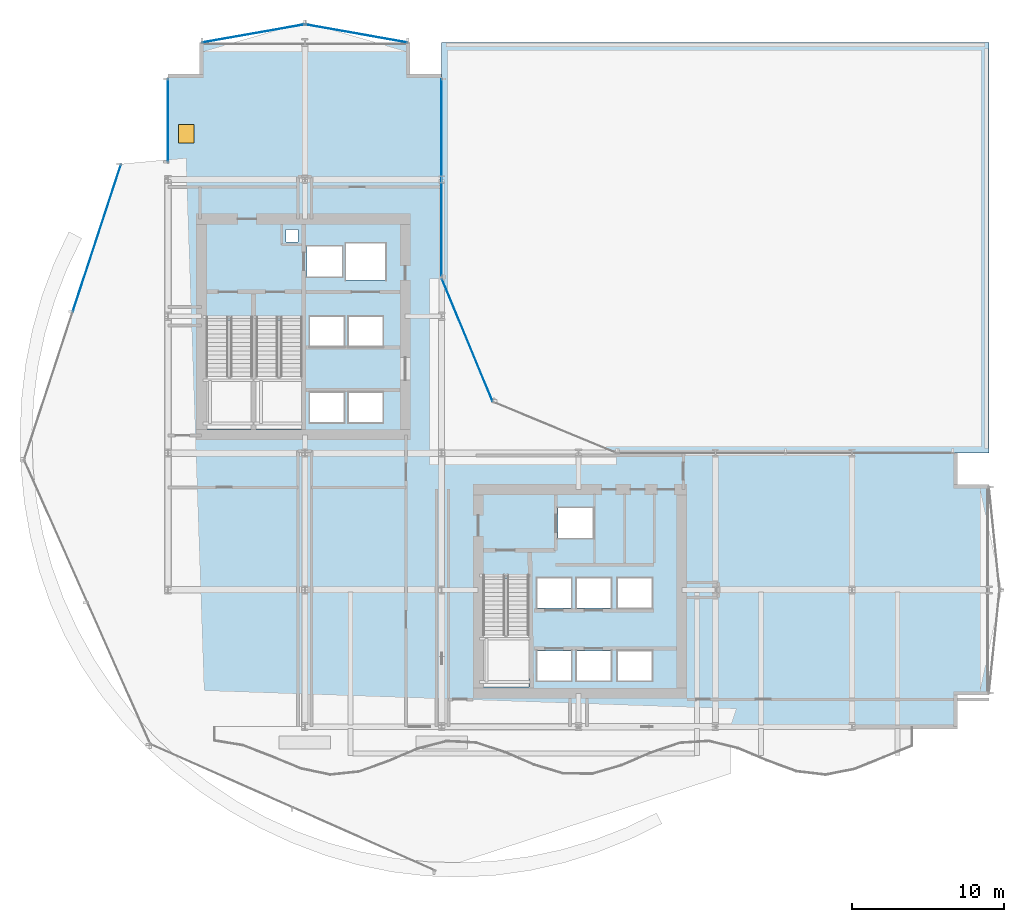
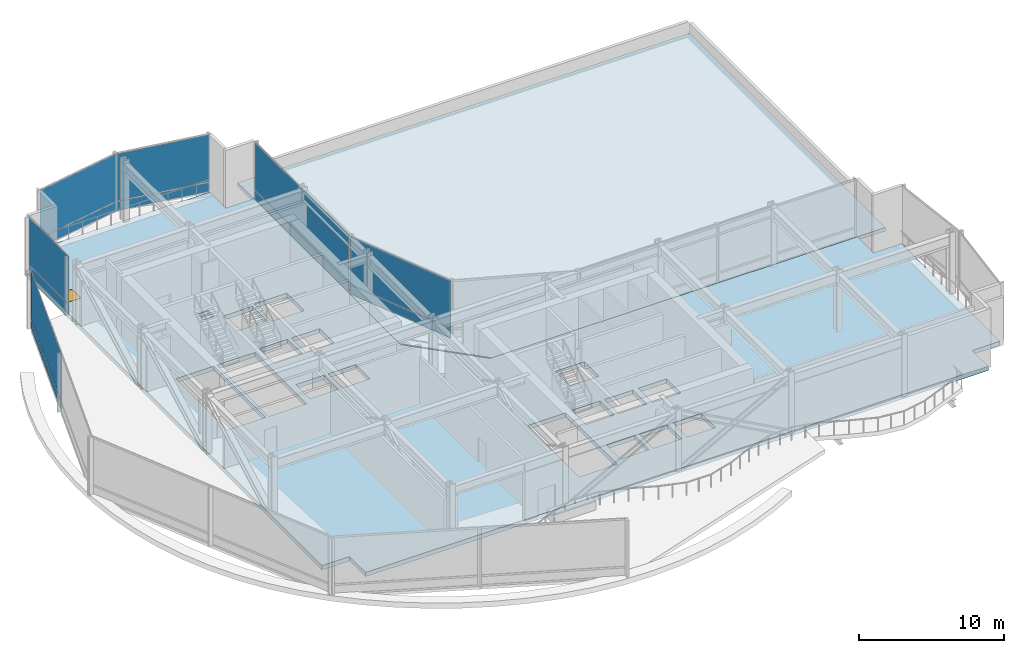
# One storey, part 26 of 37: 12 plates, 2 slabs, 1 door, 1 opening, 6 elements without a shape of their own.
"""IFC4 building model written with IfcOpenShell, lengths in metres."""

from ifc_helpers import new_model, si_unit, direction, frame, origin, origin_2d, place, context, subcontext, project, spatial, polyline, rectangle, outline, extrude, material, layer, layer_set, type_object, element, fill, aggregate, save


model = new_model("IFC4")

# Units and contexts
model_context = context("Model", 3, precision=1e-05, world=origin(), true_north=direction((0.0, 1.0)))
body_context = subcontext(model_context, "Body", "Model", "MODEL_VIEW")
ifc_project = project(units=[si_unit("LENGTHUNIT", "METRE"), si_unit("AREAUNIT", "SQUARE_METRE"), si_unit("VOLUMEUNIT", "CUBIC_METRE"), si_unit("PLANEANGLEUNIT", "RADIAN"), si_unit("MASSUNIT", "GRAM", prefix="KILO")], contexts=[model_context])

# Site, building, storey
site_placement = place(None, origin())
site = spatial("IfcSite", under=ifc_project, at=site_placement, CompositionType="ELEMENT")
building_placement = place(site_placement, origin())
building = spatial("IfcBuilding", under=site, at=building_placement, Name="Solvaryn Broadcast Tower", CompositionType="ELEMENT")
storey_placement = place(building_placement, frame((0.0, 0.0, 30.800048828125)))
storey = spatial("IfcBuildingStorey", under=building, at=storey_placement, Name="L06", CompositionType="ELEMENT", Elevation=30.800048828125)

# Curtain wall, plates
ifc_material_1 = material(Name="Aluminium and Terracotta Unitised Curtain Wall", Category="masonry")
ifc_layer_1 = layer(ifc_material_1, 0.199951171875)
ifc_layer_set_1 = layer_set([ifc_layer_1], Name="CW-SYS2-LOWMID")
curtain_wall_type = type_object("IfcCurtainWallType", Name="CW-SYS2-LOWMID", PredefinedType="NOTDEFINED", material=ifc_layer_set_1)
curtain_wall_1_placement = place(storey_placement, origin())
curtain_wall_1 = element("IfcCurtainWall", 1, at=curtain_wall_1_placement, inside=storey, type_object=curtain_wall_type, Name="L06 Curtain Wall DR1", PredefinedType="NOTDEFINED")
ifc_material_2 = material(Name="Kiln-Fired Architectural Terracotta Spandrel", Category="masonry")
ifc_layer_2 = layer(ifc_material_2, 0.048095703125)
ifc_layer_set_2 = layer_set([ifc_layer_2], Name="CW-PNL-TERRACOTTA")
plate_type = type_object("IfcPlateType", Name="CW-PNL-TERRACOTTA", PredefinedType="CURTAIN_PANEL", material=ifc_layer_set_2)
plate_1_placement = place(storey_placement, frame((4.31640625, 41.1376953125, 0.06005859375), z_axis=(0.0, 0.0, 1.0), x_axis=(-0.311594044587, -0.950215318429, 0.0)))
plate_1 = element("IfcPlate", 2, at=plate_1_placement, type_object=plate_type, Name="CWS2 panel 1.1", PredefinedType="CURTAIN_PANEL", context=body_context, shape_type="SweptSolid", body=[
    extrude(rectangle(XDim=10.147705078125, YDim=0.028076171875, at=origin_2d()), origin(), (0.0, 0.0, 1.0), 0.760009765625),
])
plate_2_placement = place(storey_placement, frame((4.31640625, 41.1376953125, 0.8798828125), z_axis=(0.0, 0.0, 1.0), x_axis=(-0.311594044587, -0.950215318429, 0.0)))
plate_2 = element("IfcPlate", 3, at=plate_2_placement, type_object=plate_type, Name="CWS2 panel 1.2", PredefinedType="CURTAIN_PANEL", context=body_context, shape_type="SweptSolid", body=[
    extrude(rectangle(XDim=10.147705078125, YDim=0.028076171875, at=origin_2d()), origin(), (0.0, 0.0, 1.0), 3.97998046875),
])
aggregate(curtain_wall_1, [plate_1, plate_2])

curtain_wall_2_placement = place(storey_placement, origin())
curtain_wall_2 = element("IfcCurtainWall", 4, at=curtain_wall_2_placement, inside=storey, type_object=curtain_wall_type, Name="L06 Curtain Wall W2", PredefinedType="NOTDEFINED")
plate_3_placement = place(storey_placement, frame((9.0, 48.883056640625, 0.06005859375), z_axis=(0.0, 0.0, 1.0), x_axis=(0.0, 1.0, 0.0)))
plate_3 = element("IfcPlate", 5, at=plate_3_placement, type_object=plate_type, Name="CWS2 panel 1.1", PredefinedType="CURTAIN_PANEL", context=body_context, shape_type="SweptSolid", body=[
    extrude(rectangle(XDim=5.4140625, YDim=0.028076171875, at=origin_2d()), origin(), (0.0, 0.0, 1.0), 0.760009765625),
])
plate_4_placement = place(storey_placement, frame((9.0, 48.883056640625, 0.8798828125), z_axis=(0.0, 0.0, 1.0), x_axis=(0.0, 1.0, 0.0)))
plate_4 = element("IfcPlate", 6, at=plate_4_placement, type_object=plate_type, Name="CWS2 panel 1.2", PredefinedType="CURTAIN_PANEL", context=body_context, shape_type="SweptSolid", body=[
    extrude(rectangle(XDim=5.4140625, YDim=0.028076171875, at=origin_2d()), origin(), (0.0, 0.0, 1.0), 3.97998046875),
])
aggregate(curtain_wall_2, [plate_3, plate_4])

curtain_wall_3_placement = place(storey_placement, origin())
curtain_wall_3 = element("IfcCurtainWall", 7, at=curtain_wall_3_placement, inside=storey, type_object=curtain_wall_type, Name="L06 Curtain Wall IV", PredefinedType="NOTDEFINED")
plate_5_placement = place(storey_placement, frame((27.0, 45.125, 0.06005859375), z_axis=(0.0, 0.0, 1.0), x_axis=(0.0, -1.0, 0.0)))
plate_5 = element("IfcPlate", 8, at=plate_5_placement, type_object=plate_type, Name="CWS2 panel 1.1", PredefinedType="CURTAIN_PANEL", context=body_context, shape_type="SweptSolid", body=[
    extrude(rectangle(XDim=12.929931640625, YDim=0.028076171875, at=origin_2d()), origin(), (0.0, 0.0, 1.0), 0.760009765625),
])
plate_6_placement = place(storey_placement, frame((27.0, 45.125, 0.8798828125), z_axis=(0.0, 0.0, 1.0), x_axis=(0.0, -1.0, 0.0)))
plate_6 = element("IfcPlate", 9, at=plate_6_placement, type_object=plate_type, Name="CWS2 panel 1.2", PredefinedType="CURTAIN_PANEL", context=body_context, shape_type="SweptSolid", body=[
    extrude(rectangle(XDim=12.929931640625, YDim=0.028076171875, at=origin_2d()), origin(), (0.0, 0.0, 1.0), 3.97998046875),
])
aggregate(curtain_wall_3, [plate_5, plate_6])

curtain_wall_4_placement = place(storey_placement, origin())
curtain_wall_4 = element("IfcCurtainWall", 10, at=curtain_wall_4_placement, inside=storey, type_object=curtain_wall_type, Name="L06 Curtain Wall CN2", PredefinedType="NOTDEFINED")
plate_7_placement = place(storey_placement, frame((28.68408203125, 34.43408203125, 0.06005859375), z_axis=(0.0, 0.0, 1.0), x_axis=(-0.382646127145, 0.923894983957, 0.0)))
plate_7 = element("IfcPlate", 11, at=plate_7_placement, type_object=plate_type, Name="CWS2 panel 1.1", PredefinedType="CURTAIN_PANEL", context=body_context, shape_type="SweptSolid", body=[
    extrude(rectangle(XDim=8.681884765625, YDim=0.028076171875, at=origin_2d()), origin(), (0.0, 0.0, 1.0), 0.760009765625),
])
plate_8_placement = place(storey_placement, frame((28.68408203125, 34.43408203125, 0.8798828125), z_axis=(0.0, 0.0, 1.0), x_axis=(-0.382646127145, 0.923894983957, 0.0)))
plate_8 = element("IfcPlate", 12, at=plate_8_placement, type_object=plate_type, Name="CWS2 panel 1.2", PredefinedType="CURTAIN_PANEL", context=body_context, shape_type="SweptSolid", body=[
    extrude(rectangle(XDim=8.681884765625, YDim=0.028076171875, at=origin_2d()), origin(), (0.0, 0.0, 1.0), 3.97998046875),
])
aggregate(curtain_wall_4, [plate_7, plate_8])

curtain_wall_5_placement = place(storey_placement, origin())
curtain_wall_5 = element("IfcCurtainWall", 13, at=curtain_wall_5_placement, inside=storey, type_object=curtain_wall_type, Name="L06 Curtain Wall NT1", PredefinedType="NOTDEFINED")
plate_9_placement = place(storey_placement, frame((21.39990234375, 54.60009765625, 0.06005859375), z_axis=(0.0, 0.0, 1.0), x_axis=(-0.984783558819, 0.173785333901, 0.0)))
plate_9 = element("IfcPlate", 14, at=plate_9_placement, type_object=plate_type, Name="CWS2 panel 1.1", PredefinedType="CURTAIN_PANEL", context=body_context, shape_type="SweptSolid", body=[
    extrude(rectangle(XDim=6.78515625, YDim=0.028076171875, at=origin_2d()), origin(), (0.0, 0.0, 1.0), 0.760009765625),
])
plate_10_placement = place(storey_placement, frame((21.39990234375, 54.60009765625, 0.8798828125), z_axis=(0.0, 0.0, 1.0), x_axis=(-0.984783558819, 0.173785333901, 0.0)))
plate_10 = element("IfcPlate", 15, at=plate_10_placement, type_object=plate_type, Name="CWS2 panel 1.2", PredefinedType="CURTAIN_PANEL", context=body_context, shape_type="SweptSolid", body=[
    extrude(rectangle(XDim=6.78515625, YDim=0.028076171875, at=origin_2d()), origin(), (0.0, 0.0, 1.0), 3.97998046875),
])
aggregate(curtain_wall_5, [plate_9, plate_10])

curtain_wall_6_placement = place(storey_placement, origin())
curtain_wall_6 = element("IfcCurtainWall", 16, at=curtain_wall_6_placement, inside=storey, type_object=curtain_wall_type, Name="L06 Curtain Wall NT2", PredefinedType="NOTDEFINED")
plate_11_placement = place(storey_placement, frame((14.60009765625, 54.60009765625, 0.06005859375), z_axis=(0.0, 0.0, 1.0), x_axis=(-0.984783558819, -0.173785333901, 0.0)))
plate_11 = element("IfcPlate", 17, at=plate_11_placement, type_object=plate_type, Name="CWS2 panel 1.1", PredefinedType="CURTAIN_PANEL", context=body_context, shape_type="SweptSolid", body=[
    extrude(rectangle(XDim=6.78515625, YDim=0.028076171875, at=origin_2d()), origin(), (0.0, 0.0, 1.0), 0.760009765625),
])
plate_12_placement = place(storey_placement, frame((14.60009765625, 54.60009765625, 0.8798828125), z_axis=(0.0, 0.0, 1.0), x_axis=(-0.984783558819, -0.173785333901, 0.0)))
plate_12 = element("IfcPlate", 18, at=plate_12_placement, type_object=plate_type, Name="CWS2 panel 1.2", PredefinedType="CURTAIN_PANEL", context=body_context, shape_type="SweptSolid", body=[
    extrude(rectangle(XDim=6.78515625, YDim=0.028076171875, at=origin_2d()), origin(), (0.0, 0.0, 1.0), 3.97998046875),
])
aggregate(curtain_wall_6, [plate_11, plate_12])

# Slab
ifc_material_3 = material(Name="Concrete f'c 60 MPa", Category="concrete")
ifc_layer_3 = layer(ifc_material_3, 0.300048828125)
ifc_layer_set_3 = layer_set([ifc_layer_3], Name="SL-ROOF-300")
slab_type_1 = type_object("IfcSlabType", Name="SL-ROOF-300", PredefinedType="ROOF", material=ifc_layer_set_3)
slab_1_placement = place(storey_placement, frame((0.0, 0.0, -0.300048828125)))
element("IfcSlab", 19, at=slab_1_placement, inside=storey, type_object=slab_type_1, Name="L06 Podium Courtyard Roof Slab", PredefinedType="ROOF", context=body_context, shape_type="SweptSolid", body=[
    extrude(outline(polyline([(31.64990234375, 27.0), (63.0, 27.0), (63.0, 54.0), (27.0, 54.0), (27.0, 31.64990234375), (31.64990234375, 27.0)])), origin(), (0.0, 0.0, 1.0), 0.300048828125),
])

# Slab, opening, door
ifc_material_4 = material(Name="Concrete f'c 60 MPa", Category="concrete")
ifc_layer_4 = layer(ifc_material_4, 0.360107421875)
ifc_layer_set_4 = layer_set([ifc_layer_4], Name="SL-XFER-360")
slab_type_2 = type_object("IfcSlabType", Name="SL-XFER-360", PredefinedType="FLOOR", material=ifc_layer_set_4)
slab_2_placement = place(storey_placement, frame((0.0, 0.0, -0.360107421875)))
slab_2 = element("IfcSlab", 20, at=slab_2_placement, inside=storey, type_object=slab_type_2, Name="L06 Structural Floor Slab", PredefinedType="FLOOR", context=body_context, shape_type="SweptSolid", body=[
    extrude(outline(polyline([(11.199951171875, 9.0), (60.800048828125, 9.0), (60.800048828125, 11.199951171875), (63.0, 11.199951171875), (63.0, 24.800048828125), (60.800048828125, 24.800048828125), (60.800048828125, 27.0), (31.5, 27.0), (27.0, 31.5), (27.0, 51.800048828125), (24.800048828125, 51.800048828125), (24.800048828125, 54.0), (11.199951171875, 54.0), (11.199951171875, 51.800048828125), (9.0, 51.800048828125), (9.0, 11.199951171875), (11.199951171875, 11.199951171875), (11.199951171875, 9.0)]), holes=[polyline([(11.52001953125, 28.60009765625), (14.550048828125, 28.60009765625), (14.550048828125, 35.719970703125), (11.52001953125, 35.719970703125), (11.52001953125, 28.60009765625)]), polyline([(14.800048828125, 28.60009765625), (17.830078125, 28.60009765625), (17.830078125, 35.719970703125), (14.800048828125, 35.719970703125), (14.800048828125, 28.60009765625)]), polyline([(29.719970703125, 11.60009765625), (32.75, 11.60009765625), (32.75, 18.719970703125), (29.719970703125, 18.719970703125), (29.719970703125, 11.60009765625)]), polyline([(18.14990234375, 38.60009765625), (20.449951171875, 38.60009765625), (20.449951171875, 40.60009765625), (18.14990234375, 40.60009765625), (18.14990234375, 38.60009765625)]), polyline([(20.699951171875, 38.39990234375), (23.300048828125, 38.39990234375), (23.300048828125, 40.800048828125), (20.699951171875, 40.800048828125), (20.699951171875, 38.39990234375)]), polyline([(18.324951171875, 29.02490234375), (20.574951171875, 29.02490234375), (20.574951171875, 30.97509765625), (18.324951171875, 30.97509765625), (18.324951171875, 29.02490234375)]), polyline([(20.875, 29.02490234375), (23.125, 29.02490234375), (23.125, 30.97509765625), (20.875, 30.97509765625), (20.875, 29.02490234375)]), polyline([(18.324951171875, 34.02490234375), (20.574951171875, 34.02490234375), (20.574951171875, 35.97509765625), (18.324951171875, 35.97509765625), (18.324951171875, 34.02490234375)]), polyline([(20.875, 34.02490234375), (23.125, 34.02490234375), (23.125, 35.97509765625), (20.875, 35.97509765625), (20.875, 34.02490234375)]), polyline([(34.64990234375, 21.39990234375), (36.949951171875, 21.39990234375), (36.949951171875, 23.39990234375), (34.64990234375, 23.39990234375), (34.64990234375, 21.39990234375)]), polyline([(33.27490234375, 12.02490234375), (35.52490234375, 12.02490234375), (35.52490234375, 13.97509765625), (33.27490234375, 13.97509765625), (33.27490234375, 12.02490234375)]), polyline([(35.875, 12.02490234375), (38.125, 12.02490234375), (38.125, 13.97509765625), (35.875, 13.97509765625), (35.875, 12.02490234375)]), polyline([(33.27490234375, 16.824951171875), (35.52490234375, 16.824951171875), (35.52490234375, 18.77490234375), (33.27490234375, 18.77490234375), (33.27490234375, 16.824951171875)]), polyline([(35.875, 16.824951171875), (38.125, 16.824951171875), (38.125, 18.77490234375), (35.875, 18.77490234375), (35.875, 16.824951171875)]), polyline([(38.574951171875, 12.02490234375), (40.824951171875, 12.02490234375), (40.824951171875, 13.97509765625), (38.574951171875, 13.97509765625), (38.574951171875, 12.02490234375)]), polyline([(38.574951171875, 16.824951171875), (40.824951171875, 16.824951171875), (40.824951171875, 18.77490234375), (38.574951171875, 18.77490234375), (38.574951171875, 16.824951171875)]), polyline([(16.75, 40.89990234375), (17.550048828125, 40.89990234375), (17.550048828125, 41.699951171875), (16.75, 41.699951171875), (16.75, 40.89990234375)])]), origin(), (0.0, 0.0, 1.0), 0.360107421875),
])
opening_placement = place(slab_2_placement, frame((10.199951171875, 48.0, 0.0)))
opening = element("IfcOpeningElement", 21, at=opening_placement, cuts=slab_2, Name="Opening HT01", PredefinedType="OPENING", context=body_context, shape_type="SweptSolid", body=[
    extrude(rectangle(XDim=1.0, YDim=1.199951171875, at=origin_2d()), origin(), (0.0, 0.0, 1.0), 0.360107421875),
])
ifc_material_5 = material(Name="Insulated Architectural Aluminium and Glazing", Category="aluminium")
door_type = type_object("IfcDoorType", Name="ED-HATCH-1000X1200", OperationType="NOTDEFINED", PredefinedType="TRAPDOOR", material=ifc_material_5)
door_placement = place(opening_placement, frame((0.0, 0.0, 0.31005859375)))
door = element("IfcDoor", 22, at=door_placement, inside=storey, type_object=door_type, Name="L06 Acoustic Plenum Access Trapdoor", OperationType="SINGLE_SWING_LEFT", OverallHeight=1.199951171875, OverallWidth=1.0, PredefinedType="TRAPDOOR", context=body_context, shape_type="SweptSolid", body=[
    extrude(rectangle(XDim=1.0, YDim=1.199951171875, at=origin_2d()), origin(), (0.0, 0.0, 1.0), 0.050048828125),
])
fill(opening, door)

save(model, "model.ifc")
